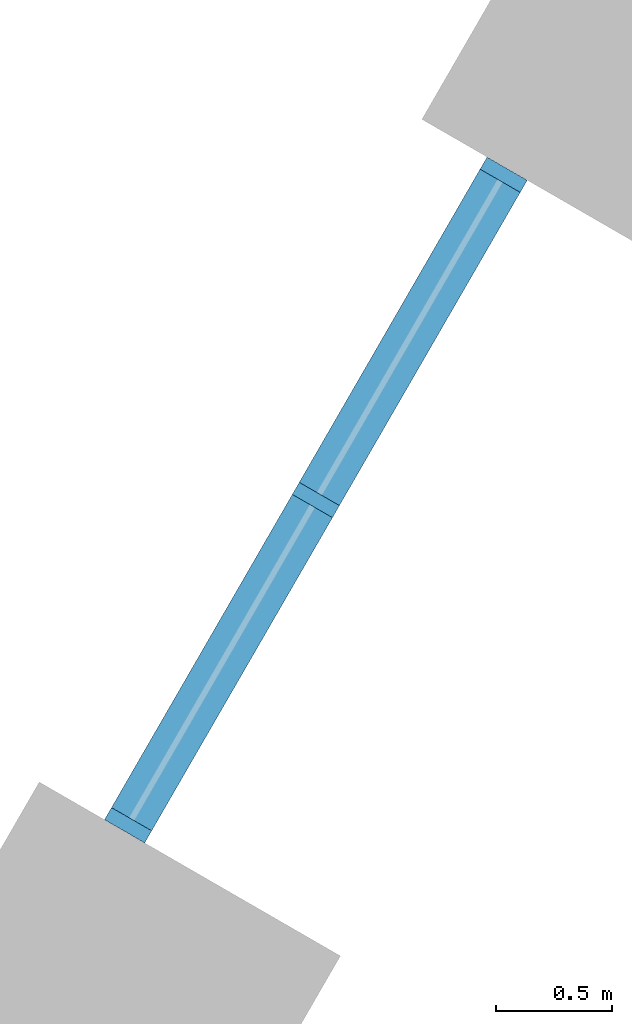
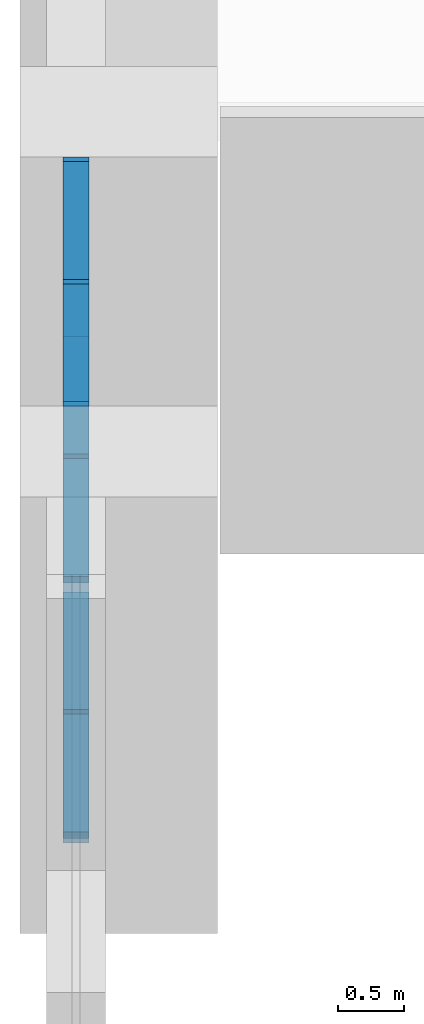
# One storey, part 7 of 42: 9 members, 1 element without a shape of its own.
"""IFC4 building model written with IfcOpenShell, lengths in metres."""

from ifc_helpers import new_model, si_unit, direction, frame, origin, origin_2d, place, context, subcontext, project, spatial, rectangle, extrude, material, layer, layer_set, material_profile, profile_set, type_object, element, aggregate, save


model = new_model("IFC4")

# Units and contexts
model_context = context("Model", 3, precision=1e-05, world=origin(), true_north=direction((0.0, 1.0)))
body_context = subcontext(model_context, "Body", "Model", "MODEL_VIEW")
ifc_project = project(units=[si_unit("LENGTHUNIT", "METRE"), si_unit("AREAUNIT", "SQUARE_METRE"), si_unit("VOLUMEUNIT", "CUBIC_METRE"), si_unit("PLANEANGLEUNIT", "RADIAN"), si_unit("MASSUNIT", "GRAM", prefix="KILO")], contexts=[model_context])

# Site, building, storey
site_placement = place(None, origin())
site = spatial("IfcSite", under=ifc_project, at=site_placement, CompositionType="ELEMENT")
building_placement = place(site_placement, origin())
building = spatial("IfcBuilding", under=site, at=building_placement, Name="Dhurran Vertical Campus", CompositionType="ELEMENT")
storey_placement = place(building_placement, frame((0.0, 0.0, 6.0)))
storey = spatial("IfcBuildingStorey", under=building, at=storey_placement, Name="L01", CompositionType="ELEMENT", Elevation=6.0)

# Curtain wall, members
ifc_material_1 = material(Name="Aluminium frame with solar-control glass", Category="aluminium")
ifc_layer = layer(ifc_material_1, 0.199951171875)
ifc_layer_set = layer_set([ifc_layer], Name="Aluminium frame with solar-control glass")
curtain_wall_type = type_object("IfcCurtainWallType", Name="Entrance glazing system", PredefinedType="NOTDEFINED", material=ifc_layer_set)
curtain_wall_placement = place(storey_placement, origin())
curtain_wall = element("IfcCurtainWall", 1, at=curtain_wall_placement, inside=storey, type_object=curtain_wall_type, Name="CW1 L01.56", PredefinedType="NOTDEFINED")
ifc_material_2 = material(Name="Aluminium mullion", Category="aluminium")
ifc_material_profile_1 = material_profile(ifc_material_2, rectangle(XDim=0.199951171875, YDim=0.06005859375, at=origin_2d()), Name="Entrance glazing system mullion")
ifc_profile_set_1 = profile_set([ifc_material_profile_1], Name="Aluminium mullion")
member_type_1 = type_object("IfcMemberType", Name="Entrance glazing system mullion", PredefinedType="MULLION", material=ifc_profile_set_1)
member_1_placement = place(storey_placement, frame((-42.09423828125, 28.771240234375, 0.0), z_axis=(0.0, 0.0, 1.0), x_axis=(0.866031632204, -0.499989211906, 0.0)))
member_1 = element("IfcMember", 2, at=member_1_placement, type_object=member_type_1, Name="CW1 mullion 1", PredefinedType="MULLION", context=body_context, shape_type="SweptSolid", body=[
    extrude(rectangle(XDim=0.199951171875, YDim=0.06005859375, at=origin_2d()), origin(), (0.0, 0.0, 1.0), 4.050048828125),
])
member_2_placement = place(storey_placement, frame((-42.904052734375, 27.36865234375, 0.0), z_axis=(0.0, 0.0, 1.0), x_axis=(0.866031632204, -0.499989211906, 0.0)))
member_2 = element("IfcMember", 3, at=member_2_placement, type_object=member_type_1, Name="CW1 mullion 2", PredefinedType="MULLION", context=body_context, shape_type="SweptSolid", body=[
    extrude(rectangle(XDim=0.199951171875, YDim=0.06005859375, at=origin_2d()), origin(), (0.0, 0.0, 1.0), 4.050048828125),
])
member_3_placement = place(storey_placement, frame((-43.7138671875, 25.966064453125, 0.0), z_axis=(0.0, 0.0, 1.0), x_axis=(0.866031632204, -0.499989211906, 0.0)))
member_3 = element("IfcMember", 4, at=member_3_placement, type_object=member_type_1, Name="CW1 mullion 3", PredefinedType="MULLION", context=body_context, shape_type="SweptSolid", body=[
    extrude(rectangle(XDim=0.199951171875, YDim=0.06005859375, at=origin_2d()), origin(), (0.0, 0.0, 1.0), 4.050048828125),
])
ifc_material_3 = material(Name="Aluminium transom", Category="aluminium")
ifc_material_profile_2 = material_profile(ifc_material_3, rectangle(XDim=0.199951171875, YDim=0.06005859375, at=origin_2d()), Name="Entrance glazing system transom")
ifc_profile_set_2 = profile_set([ifc_material_profile_2], Name="Aluminium transom")
member_type_2 = type_object("IfcMemberType", Name="Entrance glazing system transom", PredefinedType="USERDEFINED", material=ifc_profile_set_2)
member_4_placement = place(storey_placement, frame((-42.109375, 28.745361328125, 0.030029296875), z_axis=(-0.500011542666, -0.866018739521, 0.0), x_axis=(0.866018739521, -0.500011542666, 0.0)))
member_4 = element("IfcMember", 5, at=member_4_placement, type_object=member_type_2, Name="CW1 transom 1.1", ObjectType="TRANSOM", PredefinedType="USERDEFINED", context=body_context, shape_type="SweptSolid", body=[
    extrude(rectangle(XDim=0.199951171875, YDim=0.06005859375, at=origin_2d()), origin(), (0.0, 0.0, 1.0), 1.5595703125),
])
member_5_placement = place(storey_placement, frame((-42.109375, 28.745361328125, 2.39990234375), z_axis=(-0.500011542666, -0.866018739521, 0.0), x_axis=(0.866018739521, -0.500011542666, 0.0)))
member_5 = element("IfcMember", 6, at=member_5_placement, type_object=member_type_2, Name="CW1 transom 1.2", ObjectType="TRANSOM", PredefinedType="USERDEFINED", context=body_context, shape_type="SweptSolid", body=[
    extrude(rectangle(XDim=0.199951171875, YDim=0.06005859375, at=origin_2d()), origin(), (0.0, 0.0, 1.0), 1.5595703125),
])
member_6_placement = place(storey_placement, frame((-42.109375, 28.745361328125, 4.02001953125), z_axis=(-0.500011542666, -0.866018739521, 0.0), x_axis=(0.866018739521, -0.500011542666, 0.0)))
member_6 = element("IfcMember", 7, at=member_6_placement, type_object=member_type_2, Name="CW1 transom 1.3", ObjectType="TRANSOM", PredefinedType="USERDEFINED", context=body_context, shape_type="SweptSolid", body=[
    extrude(rectangle(XDim=0.199951171875, YDim=0.06005859375, at=origin_2d()), origin(), (0.0, 0.0, 1.0), 1.5595703125),
])
member_7_placement = place(storey_placement, frame((-42.9189453125, 27.3427734375, 0.030029296875), z_axis=(-0.500011542666, -0.866018739521, 0.0), x_axis=(0.866018739521, -0.500011542666, 0.0)))
member_7 = element("IfcMember", 8, at=member_7_placement, type_object=member_type_2, Name="CW1 transom 2.1", ObjectType="TRANSOM", PredefinedType="USERDEFINED", context=body_context, shape_type="SweptSolid", body=[
    extrude(rectangle(XDim=0.199951171875, YDim=0.06005859375, at=origin_2d()), origin(), (0.0, 0.0, 1.0), 1.5595703125),
])
member_8_placement = place(storey_placement, frame((-42.9189453125, 27.3427734375, 2.39990234375), z_axis=(-0.500011542666, -0.866018739521, 0.0), x_axis=(0.866018739521, -0.500011542666, 0.0)))
member_8 = element("IfcMember", 9, at=member_8_placement, type_object=member_type_2, Name="CW1 transom 2.2", ObjectType="TRANSOM", PredefinedType="USERDEFINED", context=body_context, shape_type="SweptSolid", body=[
    extrude(rectangle(XDim=0.199951171875, YDim=0.06005859375, at=origin_2d()), origin(), (0.0, 0.0, 1.0), 1.5595703125),
])
member_9_placement = place(storey_placement, frame((-42.9189453125, 27.3427734375, 4.02001953125), z_axis=(-0.500011542666, -0.866018739521, 0.0), x_axis=(0.866018739521, -0.500011542666, 0.0)))
member_9 = element("IfcMember", 10, at=member_9_placement, type_object=member_type_2, Name="CW1 transom 2.3", ObjectType="TRANSOM", PredefinedType="USERDEFINED", context=body_context, shape_type="SweptSolid", body=[
    extrude(rectangle(XDim=0.199951171875, YDim=0.06005859375, at=origin_2d()), origin(), (0.0, 0.0, 1.0), 1.5595703125),
])
aggregate(curtain_wall, [member_1, member_2, member_3, member_4, member_5, member_6, member_7, member_8, member_9])

save(model, "model.ifc")
